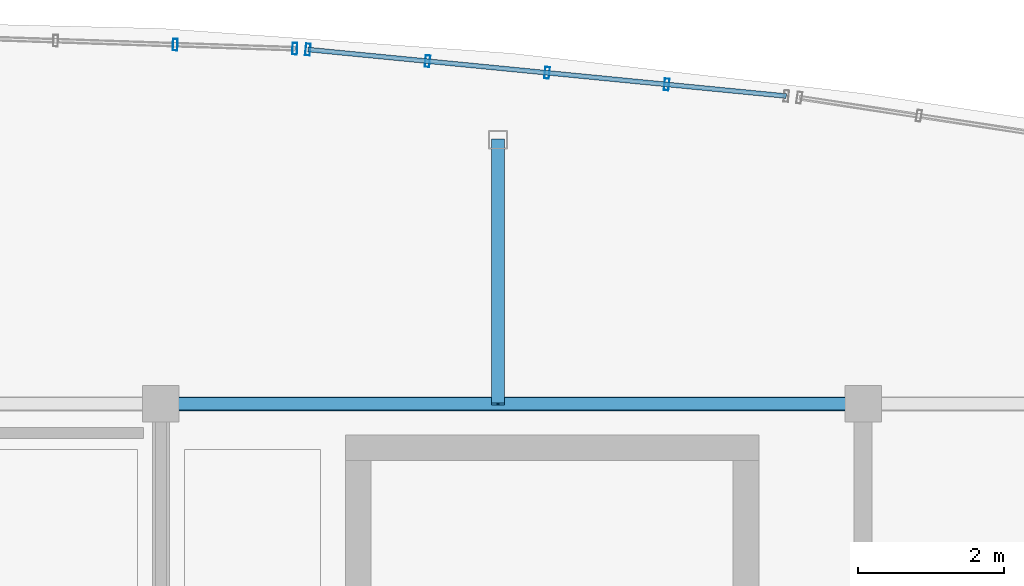
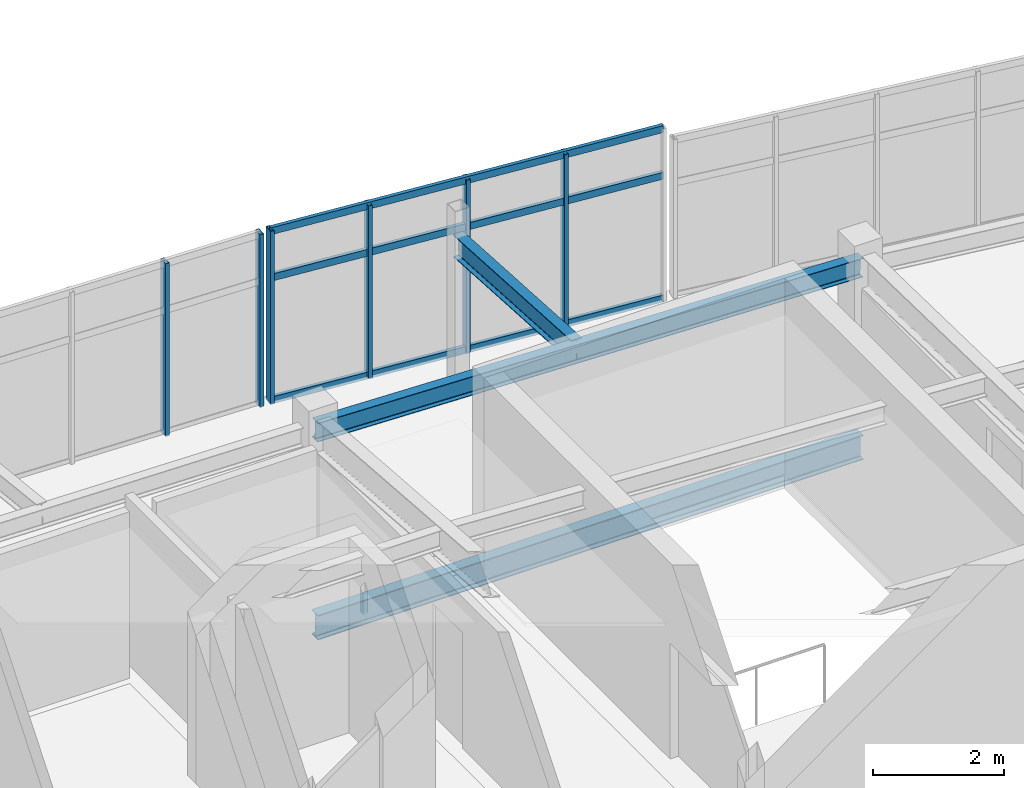
# One storey, part 47 of 65: 11 members, 1 beam, 2 elements without a shape of their own.
"""IFC4 building model written with IfcOpenShell, lengths in metres."""

from ifc_helpers import new_model, si_unit, direction, frame, origin, origin_2d, place, context, subcontext, project, spatial, hollow_rectangle, i_section, extrude, material, layer, layer_set, material_profile, profile_set, type_object, element, aggregate, save


model = new_model("IFC4")

# Units and contexts
model_context = context("Model", 3, precision=1e-05, world=origin(), true_north=direction((0.0, 1.0)))
body_context = subcontext(model_context, "Body", "Model", "MODEL_VIEW")
ifc_project = project(units=[si_unit("LENGTHUNIT", "METRE"), si_unit("AREAUNIT", "SQUARE_METRE"), si_unit("VOLUMEUNIT", "CUBIC_METRE"), si_unit("PLANEANGLEUNIT", "RADIAN"), si_unit("MASSUNIT", "GRAM", prefix="KILO")], contexts=[model_context])

# Site, building, storey
site_placement = place(None, origin())
site = spatial("IfcSite", under=ifc_project, at=site_placement, CompositionType="ELEMENT")
building_placement = place(site_placement, origin())
building = spatial("IfcBuilding", under=site, at=building_placement, Name="Chalmorin Arch Market", CompositionType="ELEMENT")
storey_placement = place(building_placement, frame((0.0, 0.0, 14.10009765625)))
storey = spatial("IfcBuildingStorey", under=building, at=storey_placement, Name="L03", CompositionType="ELEMENT", Elevation=14.10009765625)

# Curtain wall, members
ifc_material_1 = material(Name="Aluminium 6063-T6", Category="aluminium")
ifc_layer_1 = layer(ifc_material_1, 0.159912109375)
ifc_layer_set_1 = layer_set([ifc_layer_1], Name="Aluminium 6063-T6")
curtain_wall_type_1 = type_object("IfcCurtainWallType", Name="CulinaryStudioCurtainWall-CW3-6540x3220", PredefinedType="NOTDEFINED", material=ifc_layer_set_1)
curtain_wall_1_placement = place(storey_placement, origin())
curtain_wall_1 = element("IfcCurtainWall", 1, at=curtain_wall_1_placement, inside=storey, type_object=curtain_wall_type_1, Name="CW-03-138", PredefinedType="NOTDEFINED")
ifc_material_profile_1 = material_profile(ifc_material_1, hollow_rectangle(XDim=0.06494140625, YDim=0.159912109375, WallThickness=0.00390625, at=origin_2d()), Name="ALU65X160X4")
ifc_profile_set_1 = profile_set([ifc_material_profile_1], Name="Aluminium 6063-T6")
member_type_1 = type_object("IfcMemberType", Name="CurtainWallMullion-65x160", PredefinedType="MULLION", material=ifc_profile_set_1)
member_1_placement = place(storey_placement, frame((86.594970703125, 122.912841796875, -0.02001953125), z_axis=(0.0, 0.0, 1.0), x_axis=(0.999390827019, -0.034899496703, 0.0)))
member_1 = element("IfcMember", 2, at=member_1_placement, type_object=member_type_1, Name="ML-138-04", PredefinedType="MULLION", context=body_context, shape_type="SweptSolid", body=[
    extrude(hollow_rectangle(XDim=0.06494140625, YDim=0.159912109375, WallThickness=0.00390625, at=origin_2d()), origin(), (0.0, 0.0, 1.0), 3.219970703125),
])
member_2_placement = place(storey_placement, frame((88.22998046875, 122.85791015625, -0.02001953125), z_axis=(0.0, 0.0, 1.0), x_axis=(0.999390827019, -0.034899496703, 0.0)))
member_2 = element("IfcMember", 3, at=member_2_placement, type_object=member_type_1, Name="ML-138-05", PredefinedType="MULLION", context=body_context, shape_type="SweptSolid", body=[
    extrude(hollow_rectangle(XDim=0.06494140625, YDim=0.159912109375, WallThickness=0.00390625, at=origin_2d()), origin(), (0.0, 0.0, 1.0), 3.219970703125),
])
aggregate(curtain_wall_1, [member_1, member_2])

ifc_layer_2 = layer(ifc_material_1, 0.159912109375)
ifc_layer_set_2 = layer_set([ifc_layer_2], Name="Aluminium 6063-T6")
curtain_wall_type_2 = type_object("IfcCurtainWallType", Name="CulinaryStudioCurtainWall-CW3-6570x3220", PredefinedType="NOTDEFINED", material=ifc_layer_set_2)
curtain_wall_2_placement = place(storey_placement, origin())
curtain_wall_2 = element("IfcCurtainWall", 4, at=curtain_wall_2_placement, inside=storey, type_object=curtain_wall_type_2, Name="CW-03-141", PredefinedType="NOTDEFINED")
member_3_placement = place(storey_placement, frame((88.40966796875, 122.84619140625, -0.02001953125), z_axis=(0.0, 0.0, 1.0), x_axis=(0.994521895368, -0.104528463268, 0.0)))
member_3 = element("IfcMember", 5, at=member_3_placement, type_object=member_type_1, Name="ML-141-01", PredefinedType="MULLION", context=body_context, shape_type="SweptSolid", body=[
    extrude(hollow_rectangle(XDim=0.06494140625, YDim=0.159912109375, WallThickness=0.00390625, at=origin_2d()), origin(), (0.0, 0.0, 1.0), 3.223876953125),
])
member_4_placement = place(storey_placement, frame((90.044921875, 122.687255859375, -0.02001953125), z_axis=(0.0, 0.0, 1.0), x_axis=(0.994521895368, -0.104528463268, 0.0)))
member_4 = element("IfcMember", 6, at=member_4_placement, type_object=member_type_1, Name="ML-141-02", PredefinedType="MULLION", context=body_context, shape_type="SweptSolid", body=[
    extrude(hollow_rectangle(XDim=0.06494140625, YDim=0.159912109375, WallThickness=0.00390625, at=origin_2d()), origin(), (0.0, 0.0, 1.0), 3.223876953125),
])
member_5_placement = place(storey_placement, frame((91.679931640625, 122.528076171875, -0.02001953125), z_axis=(0.0, 0.0, 1.0), x_axis=(0.994521895368, -0.104528463268, 0.0)))
member_5 = element("IfcMember", 7, at=member_5_placement, type_object=member_type_1, Name="ML-141-03", PredefinedType="MULLION", context=body_context, shape_type="SweptSolid", body=[
    extrude(hollow_rectangle(XDim=0.06494140625, YDim=0.159912109375, WallThickness=0.00390625, at=origin_2d()), origin(), (0.0, 0.0, 1.0), 3.223876953125),
])
member_6_placement = place(storey_placement, frame((93.315185546875, 122.368896484375, -0.02001953125), z_axis=(0.0, 0.0, 1.0), x_axis=(0.994521895368, -0.104528463268, 0.0)))
member_6 = element("IfcMember", 8, at=member_6_placement, type_object=member_type_1, Name="ML-141-04", PredefinedType="MULLION", context=body_context, shape_type="SweptSolid", body=[
    extrude(hollow_rectangle(XDim=0.06494140625, YDim=0.159912109375, WallThickness=0.00390625, at=origin_2d()), origin(), (0.0, 0.0, 1.0), 3.223876953125),
])
ifc_material_profile_2 = material_profile(ifc_material_1, hollow_rectangle(XDim=0.06494140625, YDim=0.1298828125, WallThickness=0.00390625, at=origin_2d()), Name="ALU65X130X4")
ifc_profile_set_2 = profile_set([ifc_material_profile_2], Name="Aluminium 6063-T6")
member_type_2 = type_object("IfcMemberType", Name="CurtainWallTransom-65x130", PredefinedType="USERDEFINED", material=ifc_profile_set_2)
member_7_placement = place(storey_placement, frame((88.40966796875, 122.84619140625, 0.014892578125), z_axis=(0.995298859057, -0.096851335357, 0.0), x_axis=(0.096851335357, 0.995298859057, 0.0)))
member_7 = element("IfcMember", 9, at=member_7_placement, type_object=member_type_2, Name="TR-141-01", ObjectType="TRANSOM", PredefinedType="USERDEFINED", context=body_context, shape_type="SweptSolid", body=[
    extrude(hollow_rectangle(XDim=0.06494140625, YDim=0.1298828125, WallThickness=0.00390625, at=origin_2d()), origin(), (0.0, 0.0, 1.0), 6.57177734375),
])
member_8_placement = place(storey_placement, frame((88.40966796875, 122.84619140625, 2.30126953125), z_axis=(0.995298859057, -0.096851335357, 0.0), x_axis=(0.096851335357, 0.995298859057, 0.0)))
member_8 = element("IfcMember", 10, at=member_8_placement, type_object=member_type_2, Name="TR-141-02", ObjectType="TRANSOM", PredefinedType="USERDEFINED", context=body_context, shape_type="SweptSolid", body=[
    extrude(hollow_rectangle(XDim=0.06494140625, YDim=0.1298828125, WallThickness=0.00390625, at=origin_2d()), origin(), (0.0, 0.0, 1.0), 6.57177734375),
])
member_9_placement = place(storey_placement, frame((88.40966796875, 122.84619140625, 3.1689453125), z_axis=(0.995298859057, -0.096851335357, 0.0), x_axis=(0.096851335357, 0.995298859057, 0.0)))
member_9 = element("IfcMember", 11, at=member_9_placement, type_object=member_type_2, Name="TR-141-03", ObjectType="TRANSOM", PredefinedType="USERDEFINED", context=body_context, shape_type="SweptSolid", body=[
    extrude(hollow_rectangle(XDim=0.06494140625, YDim=0.1298828125, WallThickness=0.00390625, at=origin_2d()), origin(), (0.0, 0.0, 1.0), 6.57177734375),
])
aggregate(curtain_wall_2, [member_3, member_4, member_5, member_6, member_7, member_8, member_9])

# Beam
ifc_material_2 = material(Name="Steel A992 Grade 50", Category="steel")
ifc_material_profile_3 = material_profile(ifc_material_2, i_section(OverallWidth=0.19091796875, OverallDepth=0.45703125, WebThickness=0.009033203125, FlangeThickness=0.014404296875, FilletRadius=0.02001953125, at=origin_2d()), Name="W18X50")
ifc_profile_set_3 = profile_set([ifc_material_profile_3], Name="Steel A992 Grade 50")
beam_type = type_object("IfcBeamType", Name="PerimeterSpandrelBeam-W18X50", PredefinedType="SPANDREL", material=ifc_profile_set_3)
beam_placement = place(storey_placement, frame((86.39990234375, 118.0, -0.530517578125), z_axis=(1.0, 0.0, 0.0), x_axis=(0.0, 1.0, 0.0)))
element("IfcBeam", 12, at=beam_placement, inside=storey, type_object=beam_type, Name="SP-W18-1435", PredefinedType="SPANDREL", context=body_context, shape_type="SweptSolid", body=[
    extrude(i_section(OverallWidth=0.19091796875, OverallDepth=0.45703125, WebThickness=0.009033203125, FlangeThickness=0.014404296875, FilletRadius=0.02001953125, at=origin_2d()), origin(), (0.0, 0.0, 1.0), 9.60009765625),
])

# Members
ifc_material_profile_4 = material_profile(ifc_material_2, i_section(OverallWidth=0.1708984375, OverallDepth=0.35107421875, WebThickness=0.0068359375, FlangeThickness=0.009765625, FilletRadius=0.014892578125, at=origin_2d()), Name="W14X30")
ifc_profile_set_4 = profile_set([ifc_material_profile_4], Name="Steel A992 Grade 50")
member_type_3 = type_object("IfcMemberType", Name="RoofSteelPurlin-W14X30", PredefinedType="PURLIN", material=ifc_profile_set_4)
member_10_placement = place(storey_placement, frame((86.39990234375, 118.0, 3.094970703125), z_axis=(0.999543926851, 0.0, -0.030198316085), x_axis=(0.0, 1.0, 0.0)))
element("IfcMember", 13, at=member_10_placement, inside=storey, type_object=member_type_3, Name="PR-W14-0123", PredefinedType="PURLIN", context=body_context, shape_type="SweptSolid", body=[
    extrude(i_section(OverallWidth=0.1708984375, OverallDepth=0.35107421875, WebThickness=0.0068359375, FlangeThickness=0.009765625, FilletRadius=0.014892578125, at=origin_2d()), origin(), (0.0, 0.0, 1.0), 9.6044921875),
])
ifc_material_profile_5 = material_profile(ifc_material_2, i_section(OverallWidth=0.178955078125, OverallDepth=0.409912109375, WebThickness=0.0087890625, FlangeThickness=0.014404296875, FilletRadius=0.01806640625, at=origin_2d()), Name="W16X45")
ifc_profile_set_5 = profile_set([ifc_material_profile_5], Name="Steel A992 Grade 50")
member_type_4 = type_object("IfcMemberType", Name="RoofSteelPurlin-W16X45", PredefinedType="PURLIN", material=ifc_profile_set_5)
member_11_placement = place(storey_placement, frame((91.008056640625, 121.612060546875, 2.75), z_axis=(0.0, -0.998219739101, 0.059643545074), x_axis=(1.0, 0.0, 0.0)))
element("IfcMember", 14, at=member_11_placement, inside=storey, type_object=member_type_4, Name="PR-W16-0133", PredefinedType="PURLIN", context=body_context, shape_type="SweptSolid", body=[
    extrude(i_section(OverallWidth=0.178955078125, OverallDepth=0.409912109375, WebThickness=0.0087890625, FlangeThickness=0.014404296875, FilletRadius=0.01806640625, at=origin_2d()), origin(), (0.0, 0.0, 1.0), 3.618408203125),
])

save(model, "model.ifc")
